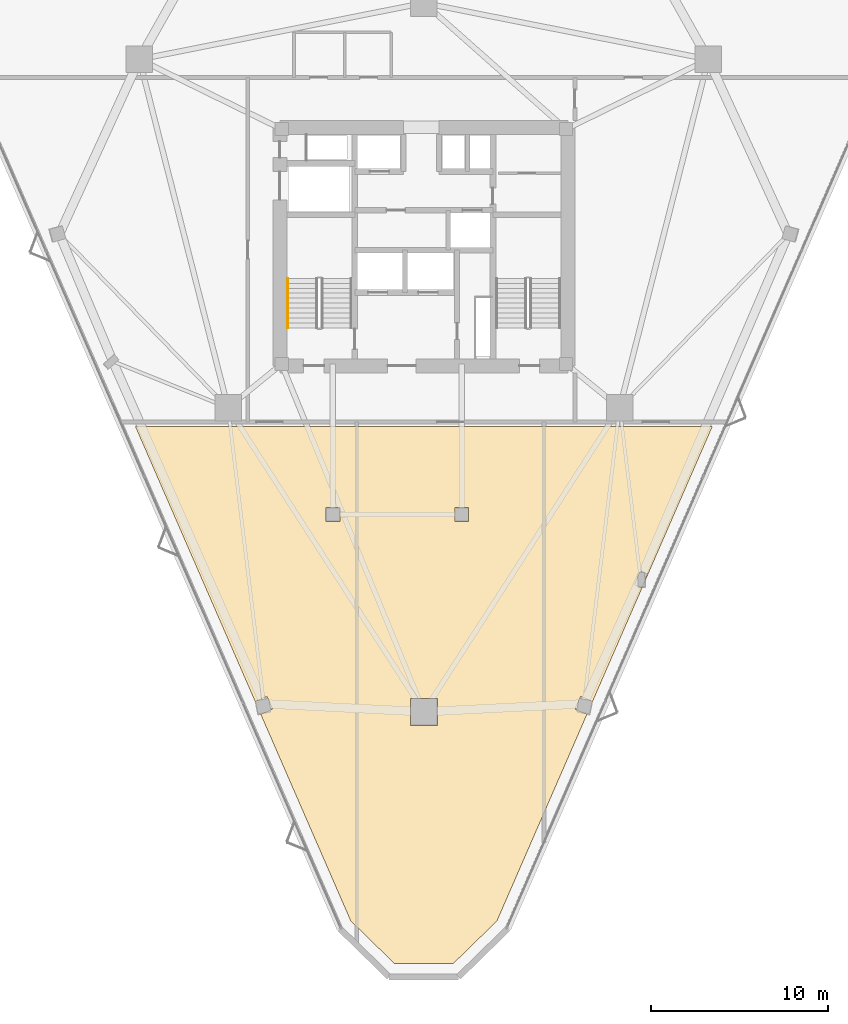
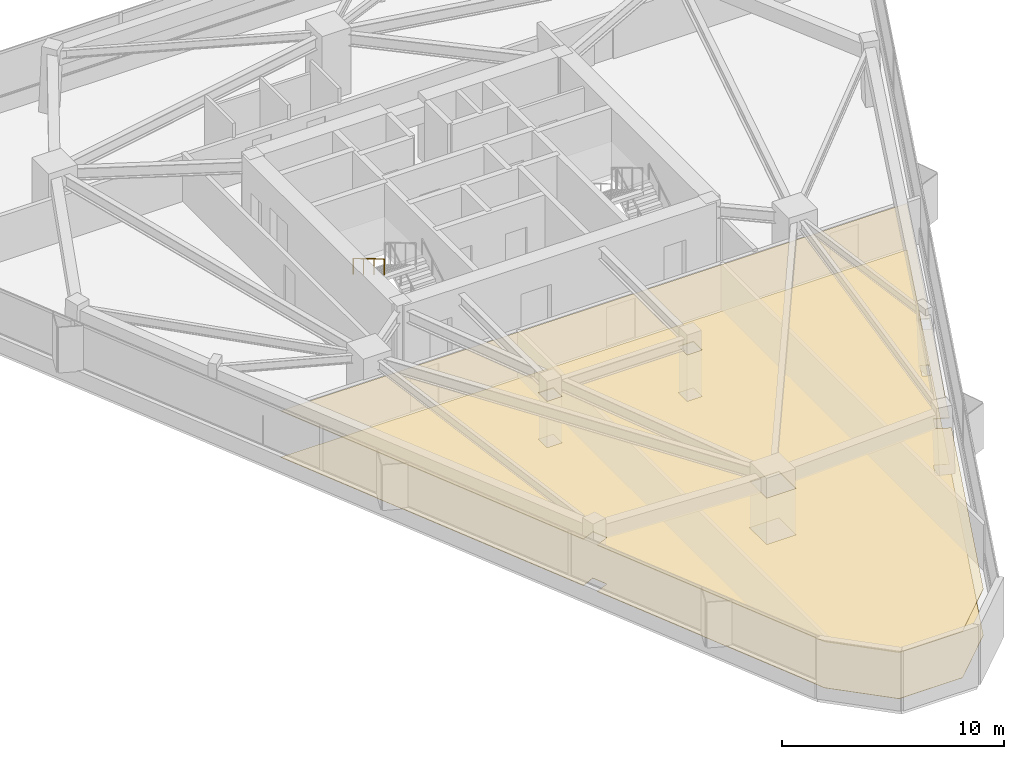
# One storey, part 12 of 13: 2 coverings, 1 railing.
"""IFC4 building model written with IfcOpenShell, lengths in metres."""

from ifc_helpers import new_model, si_unit, direction, frame, origin, origin_2d, place, context, subcontext, project, spatial, polyline, rectangle, outline, extrude, material, layer, layer_set, type_object, element, save


model = new_model("IFC4")

# Units and contexts
model_context = context("Model", 3, precision=1e-05, world=origin(), true_north=direction((0.0, 1.0)))
body_context = subcontext(model_context, "Body", "Model", "MODEL_VIEW")
ifc_project = project(units=[si_unit("LENGTHUNIT", "METRE"), si_unit("AREAUNIT", "SQUARE_METRE"), si_unit("VOLUMEUNIT", "CUBIC_METRE"), si_unit("PLANEANGLEUNIT", "RADIAN"), si_unit("MASSUNIT", "GRAM", prefix="KILO")], contexts=[model_context])

# Site, building, storey
site_placement = place(None, origin())
site = spatial("IfcSite", under=ifc_project, at=site_placement, CompositionType="ELEMENT")
building_placement = place(site_placement, origin())
building = spatial("IfcBuilding", under=site, at=building_placement, Name="Talyreon Biosciences Tower", CompositionType="ELEMENT")
storey_placement = place(building_placement, frame((0.0, 0.0, 167.35009765625)))
storey = spatial("IfcBuildingStorey", under=building, at=storey_placement, Name="L44", CompositionType="ELEMENT", Elevation=167.35009765625)

# Coverings
ifc_material_1 = material(Name="Cleanable acoustic mineral-fibre ceiling tile", Category="gypsum")
ifc_layer_1 = layer(ifc_material_1, 0.0400390625)
ifc_layer_set_1 = layer_set([ifc_layer_1], Name="Cleanable acoustic mineral-fibre ceiling tile")
covering_type_1 = type_object("IfcCoveringType", Name="AcousticCleanroomCeiling_40", PredefinedType="CEILING", material=ifc_layer_set_1)
covering_1_placement = place(storey_placement, frame((0.0, 0.0, 2.539794921875)))
element("IfcCovering", 1, at=covering_1_placement, inside=storey, type_object=covering_type_1, Name="L44 Acoustic Laboratory Ceiling", PredefinedType="CEILING", context=body_context, shape_type="SweptSolid", body=[
    extrude(outline(polyline([(82.3291015625, 57.820068359375), (75.545654296875, 42.244384765625), (74.876708984375, 42.535888671875), (74.565185546875, 41.82080078125), (75.234130859375, 41.529296875), (70.138427734375, 29.82958984375), (67.655517578125, 27.40576171875), (64.344482421875, 27.40576171875), (61.861572265625, 29.82958984375), (56.765869140625, 41.529296875), (57.434814453125, 41.82080078125), (57.123291015625, 42.535888671875), (56.454345703125, 42.244384765625), (49.6708984375, 57.820068359375), (82.3291015625, 57.820068359375)]), holes=[polyline([(66.764892578125, 40.90185546875), (66.764892578125, 42.431884765625), (65.235107421875, 42.431884765625), (65.235107421875, 40.90185546875), (66.764892578125, 40.90185546875)]), polyline([(61.239990234375, 52.449951171875), (61.239990234375, 53.22998046875), (60.4599609375, 53.22998046875), (60.4599609375, 52.449951171875), (61.239990234375, 52.449951171875)]), polyline([(78.662841796875, 49.462890625), (78.2685546875, 49.634521484375), (77.93701171875, 48.87353515625), (78.331298828125, 48.701904296875), (78.662841796875, 49.462890625)]), polyline([(67.760009765625, 52.449951171875), (68.5400390625, 52.449951171875), (68.5400390625, 53.22998046875), (67.760009765625, 53.22998046875), (67.760009765625, 52.449951171875)])]), origin(), (0.0, 0.0, 1.0), 0.0400390625),
])
ifc_material_2 = material(Name="Chemical-resistant seamless epoxy resin flooring", Category="plastic")
ifc_layer_2 = layer(ifc_material_2, 0.014892578125)
ifc_layer_set_2 = layer_set([ifc_layer_2], Name="Chemical-resistant seamless epoxy resin flooring")
covering_type_2 = type_object("IfcCoveringType", Name="SeamlessEpoxyLabFlooring_15", PredefinedType="FLOORING", material=ifc_layer_set_2)
covering_2_placement = place(storey_placement, origin())
element("IfcCovering", 2, at=covering_2_placement, inside=storey, type_object=covering_type_2, Name="L44 Laboratory Floor Finish", PredefinedType="FLOORING", context=body_context, shape_type="SweptSolid", body=[
    extrude(outline(polyline([(82.3291015625, 57.820068359375), (75.545654296875, 42.244384765625), (74.876708984375, 42.535888671875), (74.565185546875, 41.82080078125), (75.234130859375, 41.529296875), (70.138427734375, 29.82958984375), (67.655517578125, 27.40576171875), (64.344482421875, 27.40576171875), (61.861572265625, 29.82958984375), (56.765869140625, 41.529296875), (57.434814453125, 41.82080078125), (57.123291015625, 42.535888671875), (56.454345703125, 42.244384765625), (49.6708984375, 57.820068359375), (82.3291015625, 57.820068359375)]), holes=[polyline([(66.764892578125, 40.90185546875), (66.764892578125, 42.431884765625), (65.235107421875, 42.431884765625), (65.235107421875, 40.90185546875), (66.764892578125, 40.90185546875)]), polyline([(61.239990234375, 52.449951171875), (61.239990234375, 53.22998046875), (60.4599609375, 53.22998046875), (60.4599609375, 52.449951171875), (61.239990234375, 52.449951171875)]), polyline([(78.662841796875, 49.462890625), (78.2685546875, 49.634521484375), (77.93701171875, 48.87353515625), (78.331298828125, 48.701904296875), (78.662841796875, 49.462890625)]), polyline([(67.760009765625, 52.449951171875), (68.5400390625, 52.449951171875), (68.5400390625, 53.22998046875), (67.760009765625, 53.22998046875), (67.760009765625, 52.449951171875)])]), origin(), (0.0, 0.0, 1.0), 0.014892578125),
])

# Railing
ifc_material_3 = material(Name="Brushed stainless-steel tubular handrail", Category="steel")
railing_type = type_object("IfcRailingType", Name="StairWallHandrail_900", PredefinedType="HANDRAIL", material=ifc_material_3)
railing_placement = place(storey_placement, frame((58.300048828125, 66.199951171875, 1.99072265625)))
element("IfcRailing", 3, at=railing_placement, inside=storey, type_object=railing_type, Name="L44 ST-1 stair handrail 2", PredefinedType="HANDRAIL", context=body_context, shape_type="SweptSolid", body=[
    extrude(rectangle(XDim=0.048095703125, YDim=0.048095703125, at=origin_2d()), frame((0.0, 0.0, 0.8759765625), z_axis=(0.0, -0.860306154799, 0.50977771628), x_axis=(1.0, 0.0, 0.0)), (0.0, 0.0, 1.0), 3.254638671875),
    extrude(rectangle(XDim=0.0419921875, YDim=0.0419921875, at=origin_2d()), origin(), (0.0, 0.0, 1.0), 0.851806640625),
    extrude(rectangle(XDim=0.0419921875, YDim=0.0419921875, at=origin_2d()), frame((0.0, -0.933349609375, 0.552978515625)), (0.0, 0.0, 1.0), 0.851806640625),
    extrude(rectangle(XDim=0.0419921875, YDim=0.0419921875, at=origin_2d()), frame((0.0, -1.86669921875, 1.106201171875)), (0.0, 0.0, 1.0), 0.851806640625),
    extrude(rectangle(XDim=0.0419921875, YDim=0.0419921875, at=origin_2d()), frame((0.0, -2.800048828125, 1.6591796875)), (0.0, 0.0, 1.0), 0.851806640625),
])

save(model, "model.ifc")
